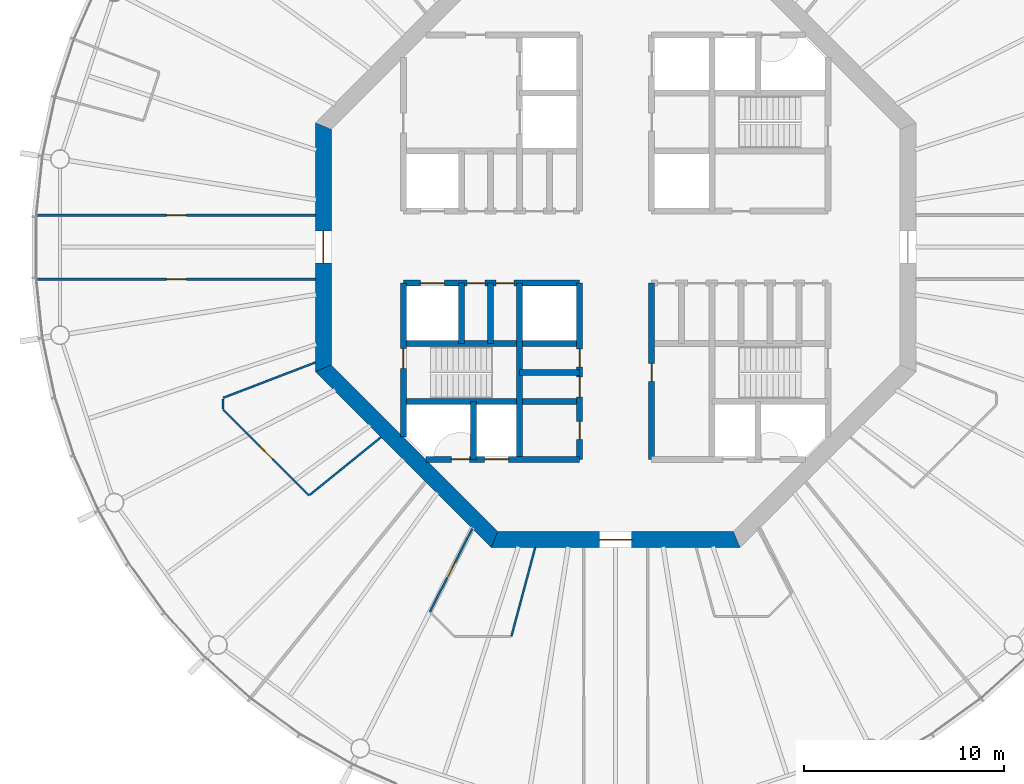
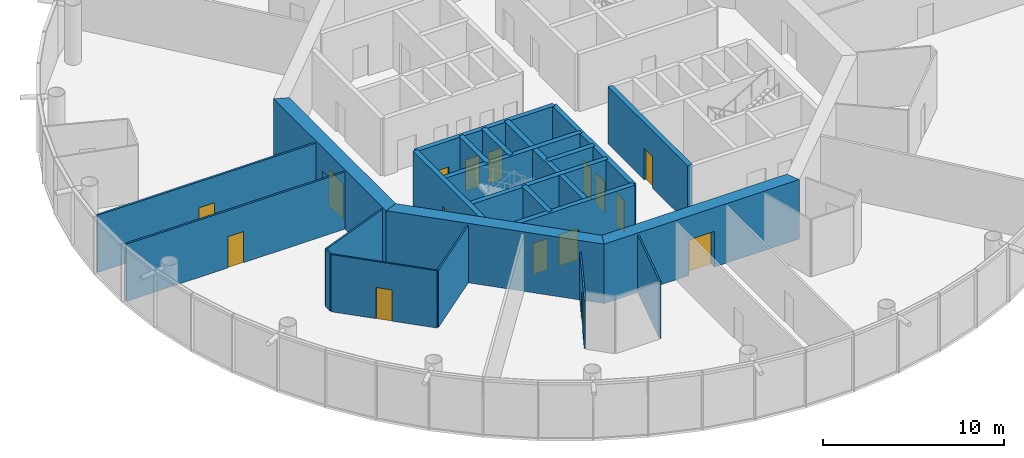
# One storey, part 3 of 13: 23 walls, 16 doors, 16 openings.
"""IFC4 building model written with IfcOpenShell, lengths in metres."""

from ifc_helpers import new_model, si_unit, direction, frame, frame_2d, origin, place, context, subcontext, project, spatial, polyline, rectangle, outline, extrude, material, layer, layer_set, type_object, element, fill, save


model = new_model("IFC4")

# Units and contexts
model_context = context("Model", 3, precision=1e-05, world=origin(), true_north=direction((0.0, 1.0)))
body_context = subcontext(model_context, "Body", "Model", "MODEL_VIEW")
ifc_project = project(units=[si_unit("LENGTHUNIT", "METRE"), si_unit("AREAUNIT", "SQUARE_METRE"), si_unit("VOLUMEUNIT", "CUBIC_METRE"), si_unit("PLANEANGLEUNIT", "RADIAN"), si_unit("MASSUNIT", "GRAM", prefix="KILO")], contexts=[model_context])

# Site, building, storey
site_placement = place(None, origin())
site = spatial("IfcSite", under=ifc_project, at=site_placement, CompositionType="ELEMENT")
building_placement = place(site_placement, origin())
building = spatial("IfcBuilding", under=site, at=building_placement, Name="Entoto Ring Tower", CompositionType="ELEMENT")
storey_placement = place(building_placement, frame((0.0, 0.0, 290.0)))
storey = spatial("IfcBuildingStorey", under=building, at=storey_placement, Name="L66", CompositionType="ELEMENT", Elevation=290.0)

# Wall, opening, door
ifc_material_1 = material(Name="Concrete C40/50", Category="concrete")
ifc_layer_1 = layer(ifc_material_1, 0.300048828125)
ifc_layer_set_1 = layer_set([ifc_layer_1], Name="Concrete C40/50")
wall_type_1 = type_object("IfcWallType", Name="Core enclosure wall 300 mm reinforced concrete", PredefinedType="SOLIDWALL", material=ifc_layer_set_1)
wall_1_placement = place(storey_placement, frame((91.800048828125, 69.39990234375, 0.0), z_axis=(0.0, 0.0, 1.0), x_axis=(0.0, 1.0, 0.0)))
wall_1 = element("IfcWall", 1, at=wall_1_placement, inside=storey, type_object=wall_type_1, Name="wall-L66-011", PredefinedType="SOLIDWALL", context=body_context, shape_type="SweptSolid", body=[
    extrude(rectangle(XDim=8.800048828125, YDim=0.300048828125, at=frame_2d((4.39990234375, 0.0))), origin(), (0.0, 0.0, 1.0), 3.85009765625),
])
opening_1_placement = place(wall_1_placement, frame((3.89990234375, 0.0, 0.0)))
opening_1 = element("IfcOpeningElement", 2, at=opening_1_placement, cuts=wall_1, Name="Opening K-21", PredefinedType="OPENING", context=body_context, shape_type="SweptSolid", body=[
    extrude(rectangle(XDim=0.89990234375, YDim=2.10009765625, at=frame_2d((0.449951171875, 1.050048828125))), frame((0.0, 0.16015625, 0.0), z_axis=(0.0, -1.0, 0.0), x_axis=(1.0, 0.0, 0.0)), (0.0, 0.0, 1.0), 0.320068359375),
])
ifc_material_2 = material(Name="Steel door leaf, fire rated", Category="steel")
ifc_layer_2 = layer(ifc_material_2, 0.050048828125)
ifc_layer_set_2 = layer_set([ifc_layer_2], Name="Steel door leaf, fire rated")
door_type_1 = type_object("IfcDoorType", Name="Core door 900 x 2100 single leaf", OperationType="NOTDEFINED", PredefinedType="DOOR", material=ifc_layer_set_2)
door_1_placement = place(opening_1_placement, frame((0.89990234375, 0.0, 0.0), z_axis=(0.0, 0.0, 1.0), x_axis=(-1.0, 0.0, 0.0)))
door_1 = element("IfcDoor", 3, at=door_1_placement, inside=storey, type_object=door_type_1, Name="Door K-21", OperationType="SINGLE_SWING_LEFT", OverallHeight=2.10009765625, OverallWidth=0.89990234375, PredefinedType="DOOR", context=body_context, shape_type="SweptSolid", body=[
    extrude(rectangle(XDim=0.89990234375, YDim=2.10009765625, at=frame_2d((0.449951171875, 1.050048828125))), frame((0.0, 0.02490234375, 0.0), z_axis=(0.0, -1.0, 0.0), x_axis=(1.0, 0.0, 0.0)), (0.0, 0.0, 1.0), 0.050048828125),
])
fill(opening_1, door_1)

# Wall, openings, doors
wall_2_placement = place(storey_placement, frame((88.199951171875, 69.39990234375, 0.0), z_axis=(0.0, 0.0, 1.0), x_axis=(0.0, 1.0, 0.0)))
wall_2 = element("IfcWall", 4, at=wall_2_placement, inside=storey, type_object=wall_type_1, Name="wall-L66-013", PredefinedType="SOLIDWALL", context=body_context, shape_type="SweptSolid", body=[
    extrude(rectangle(XDim=8.800048828125, YDim=0.300048828125, at=frame_2d((4.39990234375, 0.0))), origin(), (0.0, 0.0, 1.0), 3.85009765625),
])
opening_2_placement = place(wall_2_placement, frame((3.125, 0.0, 0.0)))
opening_2 = element("IfcOpeningElement", 5, at=opening_2_placement, cuts=wall_2, Name="Opening K-70", PredefinedType="OPENING", context=body_context, shape_type="SweptSolid", body=[
    extrude(rectangle(XDim=1.0, YDim=2.10009765625, at=frame_2d((0.5, 1.050048828125))), frame((0.0, 0.16015625, 0.0), z_axis=(0.0, -1.0, 0.0), x_axis=(1.0, 0.0, 0.0)), (0.0, 0.0, 1.0), 0.320068359375),
])
opening_3_placement = place(wall_2_placement, frame((4.625, 0.0, 0.0)))
opening_3 = element("IfcOpeningElement", 6, at=opening_3_placement, cuts=wall_2, Name="Opening K-71", PredefinedType="OPENING", context=body_context, shape_type="SweptSolid", body=[
    extrude(rectangle(XDim=0.89990234375, YDim=2.10009765625, at=frame_2d((0.449951171875, 1.050048828125))), frame((0.0, 0.16015625, 0.0), z_axis=(0.0, -1.0, 0.0), x_axis=(1.0, 0.0, 0.0)), (0.0, 0.0, 1.0), 0.320068359375),
])
opening_4_placement = place(wall_2_placement, frame((1.0, 0.0, 0.0)))
opening_4 = element("IfcOpeningElement", 7, at=opening_4_placement, cuts=wall_2, Name="Opening K-24", PredefinedType="OPENING", context=body_context, shape_type="SweptSolid", body=[
    extrude(rectangle(XDim=0.89990234375, YDim=2.10009765625, at=frame_2d((0.449951171875, 1.050048828125))), frame((0.0, 0.16015625, 0.0), z_axis=(0.0, -1.0, 0.0), x_axis=(1.0, 0.0, 0.0)), (0.0, 0.0, 1.0), 0.320068359375),
])
ifc_material_3 = material(Name="Steel door leaf, fire rated", Category="steel")
ifc_layer_3 = layer(ifc_material_3, 0.050048828125)
ifc_layer_set_3 = layer_set([ifc_layer_3], Name="Steel door leaf, fire rated")
door_type_2 = type_object("IfcDoorType", Name="Accessible door 1000 x 2100 single leaf", OperationType="NOTDEFINED", PredefinedType="DOOR", material=ifc_layer_set_3)
door_2_placement = place(opening_2_placement, origin())
door_2 = element("IfcDoor", 8, at=door_2_placement, inside=storey, type_object=door_type_2, Name="Door K-70", OperationType="SINGLE_SWING_RIGHT", OverallHeight=2.10009765625, OverallWidth=1.0, PredefinedType="DOOR", context=body_context, shape_type="SweptSolid", body=[
    extrude(rectangle(XDim=1.0, YDim=2.10009765625, at=frame_2d((0.5, 1.050048828125))), frame((0.0, 0.02490234375, 0.0), z_axis=(0.0, -1.0, 0.0), x_axis=(1.0, 0.0, 0.0)), (0.0, 0.0, 1.0), 0.050048828125),
])
fill(opening_2, door_2)
door_3_placement = place(opening_3_placement, origin())
door_3 = element("IfcDoor", 9, at=door_3_placement, inside=storey, type_object=door_type_1, Name="Door K-71", OperationType="SINGLE_SWING_RIGHT", OverallHeight=2.10009765625, OverallWidth=0.89990234375, PredefinedType="DOOR", context=body_context, shape_type="SweptSolid", body=[
    extrude(rectangle(XDim=0.89990234375, YDim=2.10009765625, at=frame_2d((0.449951171875, 1.050048828125))), frame((0.0, 0.02490234375, 0.0), z_axis=(0.0, -1.0, 0.0), x_axis=(1.0, 0.0, 0.0)), (0.0, 0.0, 1.0), 0.050048828125),
])
fill(opening_3, door_3)
door_4_placement = place(opening_4_placement, origin())
door_4 = element("IfcDoor", 10, at=door_4_placement, inside=storey, type_object=door_type_1, Name="Door K-24", OperationType="SINGLE_SWING_RIGHT", OverallHeight=2.10009765625, OverallWidth=0.89990234375, PredefinedType="DOOR", context=body_context, shape_type="SweptSolid", body=[
    extrude(rectangle(XDim=0.89990234375, YDim=2.10009765625, at=frame_2d((0.449951171875, 1.050048828125))), frame((0.0, 0.02490234375, 0.0), z_axis=(0.0, -1.0, 0.0), x_axis=(1.0, 0.0, 0.0)), (0.0, 0.0, 1.0), 0.050048828125),
])
fill(opening_4, door_4)

# Walls
wall_3_placement = place(storey_placement, frame((85.199951171875, 69.39990234375, 0.0), z_axis=(0.0, 0.0, 1.0), x_axis=(0.0, 1.0, 0.0)))
element("IfcWall", 11, at=wall_3_placement, inside=storey, type_object=wall_type_1, Name="wall-L66-016", PredefinedType="SOLIDWALL", context=body_context, shape_type="SweptSolid", body=[
    extrude(rectangle(XDim=8.800048828125, YDim=0.300048828125, at=frame_2d((4.39990234375, 0.0))), origin(), (0.0, 0.0, 1.0), 3.85009765625),
])
wall_4_placement = place(storey_placement, frame((83.75, 75.199951171875, 0.0), z_axis=(0.0, 0.0, 1.0), x_axis=(0.0, 1.0, 0.0)))
element("IfcWall", 12, at=wall_4_placement, inside=storey, type_object=wall_type_1, Name="wall-L66-018", PredefinedType="SOLIDWALL", context=body_context, shape_type="SweptSolid", body=[
    extrude(rectangle(XDim=3.0, YDim=0.300048828125, at=frame_2d((1.5, 0.0))), origin(), (0.0, 0.0, 1.0), 3.85009765625),
])
wall_5_placement = place(storey_placement, frame((82.89990234375, 69.39990234375, 0.0), z_axis=(0.0, 0.0, 1.0), x_axis=(0.0, 1.0, 0.0)))
element("IfcWall", 13, at=wall_5_placement, inside=storey, type_object=wall_type_1, Name="wall-L66-020", PredefinedType="SOLIDWALL", context=body_context, shape_type="SweptSolid", body=[
    extrude(rectangle(XDim=2.900146484375, YDim=0.300048828125, at=frame_2d((1.4501953125, 0.0))), origin(), (0.0, 0.0, 1.0), 3.85009765625),
])
wall_6_placement = place(storey_placement, frame((82.300048828125, 75.199951171875, 0.0), z_axis=(0.0, 0.0, 1.0), x_axis=(0.0, 1.0, 0.0)))
element("IfcWall", 14, at=wall_6_placement, inside=storey, type_object=wall_type_1, Name="wall-L66-021", PredefinedType="SOLIDWALL", context=body_context, shape_type="SweptSolid", body=[
    extrude(rectangle(XDim=3.0, YDim=0.300048828125, at=frame_2d((1.5, 0.0))), origin(), (0.0, 0.0, 1.0), 3.85009765625),
])

# Wall, opening, door
wall_7_placement = place(storey_placement, frame((79.39990234375, 70.518310546875, 0.0), z_axis=(0.0, 0.0, 1.0), x_axis=(0.0, 1.0, 0.0)))
wall_7 = element("IfcWall", 15, at=wall_7_placement, inside=storey, type_object=wall_type_1, Name="wall-L66-023", PredefinedType="SOLIDWALL", context=body_context, shape_type="SweptSolid", body=[
    extrude(rectangle(XDim=7.681640625, YDim=0.300048828125, at=frame_2d((3.8408203125, 0.0))), origin(), (0.0, 0.0, 1.0), 3.85009765625),
])
opening_5_placement = place(wall_7_placement, frame((3.431884765625, 0.0, 0.0)))
opening_5 = element("IfcOpeningElement", 16, at=opening_5_placement, cuts=wall_7, Name="Opening K-30", PredefinedType="OPENING", context=body_context, shape_type="SweptSolid", body=[
    extrude(rectangle(XDim=1.0, YDim=2.10009765625, at=frame_2d((0.5, 1.050048828125))), frame((0.0, 0.16015625, 0.0), z_axis=(0.0, -1.0, 0.0), x_axis=(1.0, 0.0, 0.0)), (0.0, 0.0, 1.0), 0.320068359375),
])
ifc_material_4 = material(Name="Steel door leaf, fire rated", Category="steel")
ifc_layer_4 = layer(ifc_material_4, 0.050048828125)
ifc_layer_set_4 = layer_set([ifc_layer_4], Name="Steel door leaf, fire rated")
door_type_3 = type_object("IfcDoorType", Name="Fire door FD60 1000 x 2100 single leaf", OperationType="NOTDEFINED", PredefinedType="DOOR", material=ifc_layer_set_4)
door_5_placement = place(opening_5_placement, frame((1.0, 0.0, 0.0), z_axis=(0.0, 0.0, 1.0), x_axis=(-1.0, 0.0, 0.0)))
door_5 = element("IfcDoor", 17, at=door_5_placement, inside=storey, type_object=door_type_3, Name="Door K-30", OperationType="SINGLE_SWING_LEFT", OverallHeight=2.10009765625, OverallWidth=1.0, PredefinedType="DOOR", context=body_context, shape_type="SweptSolid", body=[
    extrude(rectangle(XDim=1.0, YDim=2.10009765625, at=frame_2d((0.5, 1.050048828125))), frame((0.0, 0.02490234375, 0.0), z_axis=(0.0, -1.0, 0.0), x_axis=(1.0, 0.0, 0.0)), (0.0, 0.0, 1.0), 0.050048828125),
])
fill(opening_5, door_5)

# Wall, openings, doors
wall_8_placement = place(storey_placement, frame((80.518310546875, 69.39990234375, 0.0), z_axis=(0.0, 0.0, 1.0), x_axis=(1.0, 0.0, 0.0)))
wall_8 = element("IfcWall", 18, at=wall_8_placement, inside=storey, type_object=wall_type_1, Name="wall-L66-025", PredefinedType="SOLIDWALL", context=body_context, shape_type="SweptSolid", body=[
    extrude(rectangle(XDim=7.681640625, YDim=0.300048828125, at=frame_2d((3.8408203125, 0.0))), origin(), (0.0, 0.0, 1.0), 3.85009765625),
])
opening_6_placement = place(wall_8_placement, frame((2.931884765625, 0.0, 0.0)))
opening_6 = element("IfcOpeningElement", 19, at=opening_6_placement, cuts=wall_8, Name="Opening LD", PredefinedType="OPENING", context=body_context, shape_type="SweptSolid", body=[
    extrude(rectangle(XDim=1.199951171875, YDim=2.10009765625, at=frame_2d((0.60009765625, 1.050048828125))), frame((0.0, 0.16015625, 0.0), z_axis=(0.0, -1.0, 0.0), x_axis=(1.0, 0.0, 0.0)), (0.0, 0.0, 1.0), 0.320068359375),
])
opening_7_placement = place(wall_8_placement, frame((1.28173828125, 0.0, 0.0)))
opening_7 = element("IfcOpeningElement", 20, at=opening_7_placement, cuts=wall_8, Name="Opening K-33", PredefinedType="OPENING", context=body_context, shape_type="SweptSolid", body=[
    extrude(rectangle(XDim=0.89990234375, YDim=2.10009765625, at=frame_2d((0.449951171875, 1.050048828125))), frame((0.0, 0.16015625, 0.0), z_axis=(0.0, -1.0, 0.0), x_axis=(1.0, 0.0, 0.0)), (0.0, 0.0, 1.0), 0.320068359375),
])
ifc_material_5 = material(Name="Steel and glass door leaf", Category="steel")
ifc_layer_5 = layer(ifc_material_5, 0.050048828125)
ifc_layer_set_5 = layer_set([ifc_layer_5], Name="Steel and glass door leaf")
door_type_4 = type_object("IfcDoorType", Name="Landing door 1200 x 2100 sliding", OperationType="DOUBLE_DOOR_SLIDING", PredefinedType="DOOR", material=ifc_layer_set_5)
door_6_placement = place(opening_6_placement, origin())
door_6 = element("IfcDoor", 21, at=door_6_placement, inside=storey, type_object=door_type_4, Name="Landing door LB3-HR", OperationType="SLIDING_TO_RIGHT", OverallHeight=2.10009765625, OverallWidth=1.199951171875, PredefinedType="DOOR", context=body_context, shape_type="SweptSolid", body=[
    extrude(rectangle(XDim=1.199951171875, YDim=2.10009765625, at=frame_2d((0.60009765625, 1.050048828125))), frame((0.0, 0.02490234375, 0.0), z_axis=(0.0, -1.0, 0.0), x_axis=(1.0, 0.0, 0.0)), (0.0, 0.0, 1.0), 0.050048828125),
])
fill(opening_6, door_6)
ifc_material_6 = material(Name="Steel door leaf, fire rated", Category="steel")
ifc_layer_6 = layer(ifc_material_6, 0.050048828125)
ifc_layer_set_6 = layer_set([ifc_layer_6], Name="Steel door leaf, fire rated")
door_type_5 = type_object("IfcDoorType", Name="Riser door FD60 900 x 2100 single leaf", OperationType="NOTDEFINED", PredefinedType="DOOR", material=ifc_layer_set_6)
door_7_placement = place(opening_7_placement, origin())
door_7 = element("IfcDoor", 22, at=door_7_placement, inside=storey, type_object=door_type_5, Name="Door K-33", OperationType="SINGLE_SWING_RIGHT", OverallHeight=2.10009765625, OverallWidth=0.89990234375, PredefinedType="DOOR", context=body_context, shape_type="SweptSolid", body=[
    extrude(rectangle(XDim=0.89990234375, YDim=2.10009765625, at=frame_2d((0.449951171875, 1.050048828125))), frame((0.0, 0.02490234375, 0.0), z_axis=(0.0, -1.0, 0.0), x_axis=(1.0, 0.0, 0.0)), (0.0, 0.0, 1.0), 0.050048828125),
])
fill(opening_7, door_7)

# Walls
wall_9_placement = place(storey_placement, frame((79.39990234375, 72.300048828125, 0.0), z_axis=(0.0, 0.0, 1.0), x_axis=(1.0, 0.0, 0.0)))
element("IfcWall", 23, at=wall_9_placement, inside=storey, type_object=wall_type_1, Name="wall-L66-027", PredefinedType="SOLIDWALL", context=body_context, shape_type="SweptSolid", body=[
    extrude(rectangle(XDim=8.800048828125, YDim=0.300048828125, at=frame_2d((4.39990234375, 0.0))), origin(), (0.0, 0.0, 1.0), 3.85009765625),
])
wall_10_placement = place(storey_placement, frame((85.199951171875, 73.75, 0.0), z_axis=(0.0, 0.0, 1.0), x_axis=(1.0, 0.0, 0.0)))
element("IfcWall", 24, at=wall_10_placement, inside=storey, type_object=wall_type_1, Name="wall-L66-029", PredefinedType="SOLIDWALL", context=body_context, shape_type="SweptSolid", body=[
    extrude(rectangle(XDim=3.0, YDim=0.300048828125, at=frame_2d((1.5, 0.0))), origin(), (0.0, 0.0, 1.0), 3.85009765625),
])
wall_11_placement = place(storey_placement, frame((79.39990234375, 75.199951171875, 0.0), z_axis=(0.0, 0.0, 1.0), x_axis=(1.0, 0.0, 0.0)))
element("IfcWall", 25, at=wall_11_placement, inside=storey, type_object=wall_type_1, Name="wall-L66-030", PredefinedType="SOLIDWALL", context=body_context, shape_type="SweptSolid", body=[
    extrude(rectangle(XDim=8.800048828125, YDim=0.300048828125, at=frame_2d((4.39990234375, 0.0))), origin(), (0.0, 0.0, 1.0), 3.85009765625),
])

# Wall, openings, doors
wall_12_placement = place(storey_placement, frame((79.39990234375, 78.199951171875, 0.0), z_axis=(0.0, 0.0, 1.0), x_axis=(1.0, 0.0, 0.0)))
wall_12 = element("IfcWall", 26, at=wall_12_placement, inside=storey, type_object=wall_type_1, Name="wall-L66-032", PredefinedType="SOLIDWALL", context=body_context, shape_type="SweptSolid", body=[
    extrude(rectangle(XDim=8.800048828125, YDim=0.300048828125, at=frame_2d((4.39990234375, 0.0))), origin(), (0.0, 0.0, 1.0), 3.85009765625),
])
opening_8_placement = place(wall_12_placement, frame((0.85009765625, 0.0, 0.0)))
opening_8 = element("IfcOpeningElement", 27, at=opening_8_placement, cuts=wall_12, Name="Opening LD", PredefinedType="OPENING", context=body_context, shape_type="SweptSolid", body=[
    extrude(rectangle(XDim=1.199951171875, YDim=2.10009765625, at=frame_2d((0.60009765625, 1.050048828125))), frame((0.0, 0.16015625, 0.0), z_axis=(0.0, -1.0, 0.0), x_axis=(1.0, 0.0, 0.0)), (0.0, 0.0, 1.0), 0.320068359375),
])
opening_9_placement = place(wall_12_placement, frame((3.175048828125, 0.0, 0.0)))
opening_9 = element("IfcOpeningElement", 28, at=opening_9_placement, cuts=wall_12, Name="Opening K-18", PredefinedType="OPENING", context=body_context, shape_type="SweptSolid", body=[
    extrude(rectangle(XDim=0.89990234375, YDim=2.10009765625, at=frame_2d((0.449951171875, 1.050048828125))), frame((0.0, 0.16015625, 0.0), z_axis=(0.0, -1.0, 0.0), x_axis=(1.0, 0.0, 0.0)), (0.0, 0.0, 1.0), 0.320068359375),
])
opening_10_placement = place(wall_12_placement, frame((4.625, 0.0, 0.0)))
opening_10 = element("IfcOpeningElement", 29, at=opening_10_placement, cuts=wall_12, Name="Opening K-19", PredefinedType="OPENING", context=body_context, shape_type="SweptSolid", body=[
    extrude(rectangle(XDim=0.89990234375, YDim=2.10009765625, at=frame_2d((0.449951171875, 1.050048828125))), frame((0.0, 0.16015625, 0.0), z_axis=(0.0, -1.0, 0.0), x_axis=(1.0, 0.0, 0.0)), (0.0, 0.0, 1.0), 0.320068359375),
])
door_8_placement = place(opening_9_placement, frame((0.89990234375, 0.0, 0.0), z_axis=(0.0, 0.0, 1.0), x_axis=(-1.0, 0.0, 0.0)))
door_8 = element("IfcDoor", 30, at=door_8_placement, inside=storey, type_object=door_type_1, Name="Door K-18", OperationType="SINGLE_SWING_LEFT", OverallHeight=2.10009765625, OverallWidth=0.89990234375, PredefinedType="DOOR", context=body_context, shape_type="SweptSolid", body=[
    extrude(rectangle(XDim=0.89990234375, YDim=2.10009765625, at=frame_2d((0.449951171875, 1.050048828125))), frame((0.0, 0.02490234375, 0.0), z_axis=(0.0, -1.0, 0.0), x_axis=(1.0, 0.0, 0.0)), (0.0, 0.0, 1.0), 0.050048828125),
])
fill(opening_9, door_8)
door_9_placement = place(opening_10_placement, frame((0.89990234375, 0.0, 0.0), z_axis=(0.0, 0.0, 1.0), x_axis=(-1.0, 0.0, 0.0)))
door_9 = element("IfcDoor", 31, at=door_9_placement, inside=storey, type_object=door_type_1, Name="Door K-19", OperationType="SINGLE_SWING_LEFT", OverallHeight=2.10009765625, OverallWidth=0.89990234375, PredefinedType="DOOR", context=body_context, shape_type="SweptSolid", body=[
    extrude(rectangle(XDim=0.89990234375, YDim=2.10009765625, at=frame_2d((0.449951171875, 1.050048828125))), frame((0.0, 0.02490234375, 0.0), z_axis=(0.0, -1.0, 0.0), x_axis=(1.0, 0.0, 0.0)), (0.0, 0.0, 1.0), 0.050048828125),
])
fill(opening_10, door_9)
door_10_placement = place(opening_8_placement, origin())
door_10 = element("IfcDoor", 32, at=door_10_placement, inside=storey, type_object=door_type_4, Name="Landing door SH2", OperationType="SLIDING_TO_RIGHT", OverallHeight=2.10009765625, OverallWidth=1.199951171875, PredefinedType="DOOR", context=body_context, shape_type="SweptSolid", body=[
    extrude(rectangle(XDim=1.199951171875, YDim=2.10009765625, at=frame_2d((0.60009765625, 1.050048828125))), frame((0.0, 0.02490234375, 0.0), z_axis=(0.0, -1.0, 0.0), x_axis=(1.0, 0.0, 0.0)), (0.0, 0.0, 1.0), 0.050048828125),
])
fill(opening_8, door_10)

# Wall, opening, door
ifc_material_7 = material(Name="Concrete C40/50", Category="concrete")
ifc_layer_7 = layer(ifc_material_7, 0.800048828125)
ifc_layer_set_7 = layer_set([ifc_layer_7], Name="Concrete C40/50")
wall_type_2 = type_object("IfcWallType", Name="Core shear wall 800 mm reinforced concrete C40/50", PredefinedType="SHEAR", material=ifc_layer_set_7)
wall_13_placement = place(storey_placement, frame((75.39990234375, 86.047607421875, 0.0), z_axis=(0.0, 0.0, 1.0), x_axis=(0.0, -1.0, 0.0)))
wall_13 = element("IfcWall", 33, at=wall_13_placement, inside=storey, type_object=wall_type_2, Name="wall-L66-core-4", PredefinedType="SHEAR", context=body_context, shape_type="SweptSolid", body=[
    extrude(outline(polyline([(-0.165771484375, -0.39990234375), (12.260986328125, -0.39990234375), (11.929443359375, 0.39990234375), (0.165771484375, 0.39990234375), (-0.165771484375, -0.39990234375)])), origin(), (0.0, 0.0, 1.0), 4.0),
])
opening_11_placement = place(wall_13_placement, frame((5.24755859375, 0.0, 0.0)))
opening_11 = element("IfcOpeningElement", 34, at=opening_11_placement, cuts=wall_13, Name="Opening K-03", PredefinedType="OPENING", context=body_context, shape_type="SweptSolid", body=[
    extrude(rectangle(XDim=1.60009765625, YDim=2.39990234375, at=frame_2d((0.800048828125, 1.199951171875))), frame((0.0, 0.41015625, 0.0), z_axis=(0.0, -1.0, 0.0), x_axis=(1.0, 0.0, 0.0)), (0.0, 0.0, 1.0), 0.820068359375),
])
ifc_material_8 = material(Name="Steel door leaf, fire rated", Category="steel")
ifc_layer_8 = layer(ifc_material_8, 0.050048828125)
ifc_layer_set_8 = layer_set([ifc_layer_8], Name="Steel door leaf, fire rated")
door_type_6 = type_object("IfcDoorType", Name="Entrance door FD60 1600 x 2400 double leaf", OperationType="DOUBLE_DOOR_SINGLE_SWING", PredefinedType="DOOR", material=ifc_layer_set_8)
door_11_placement = place(opening_11_placement, origin())
door_11 = element("IfcDoor", 35, at=door_11_placement, inside=storey, type_object=door_type_6, Name="Entrance door K-03", OperationType="DOUBLE_DOOR_SINGLE_SWING", OverallHeight=2.39990234375, OverallWidth=1.60009765625, PredefinedType="DOOR", context=body_context, shape_type="SweptSolid", body=[
    extrude(rectangle(XDim=1.60009765625, YDim=2.39990234375, at=frame_2d((0.800048828125, 1.199951171875))), frame((0.0, 0.02490234375, 0.0), z_axis=(0.0, -1.0, 0.0), x_axis=(1.0, 0.0, 0.0)), (0.0, 0.0, 1.0), 0.050048828125),
])
fill(opening_11, door_11)

# Wall
wall_14_placement = place(storey_placement, frame((75.39990234375, 73.952392578125, 0.0), z_axis=(0.0, 0.0, 1.0), x_axis=(0.707106781187, -0.707106781187, 0.0)))
element("IfcWall", 36, at=wall_14_placement, inside=storey, type_object=wall_type_2, Name="wall-L66-core-5", PredefinedType="SHEAR", context=body_context, shape_type="SweptSolid", body=[
    extrude(outline(polyline([(-0.165771484375, -0.39990234375), (12.2607421875, -0.39990234375), (11.92919921875, 0.39990234375), (0.165771484375, 0.39990234375), (-0.165771484375, -0.39990234375)])), origin(), (0.0, 0.0, 1.0), 4.0),
])

# Wall, opening, door
wall_15_placement = place(storey_placement, frame((83.952392578125, 65.39990234375, 0.0), z_axis=(0.0, 0.0, 1.0), x_axis=(1.0, 0.0, 0.0)))
wall_15 = element("IfcWall", 37, at=wall_15_placement, inside=storey, type_object=wall_type_2, Name="wall-L66-core-6", PredefinedType="SHEAR", context=body_context, shape_type="SweptSolid", body=[
    extrude(outline(polyline([(-0.165771484375, -0.39990234375), (12.260986328125, -0.39990234375), (11.929443359375, 0.39990234375), (0.165771484375, 0.39990234375), (-0.165771484375, -0.39990234375)])), origin(), (0.0, 0.0, 1.0), 4.0),
])
opening_12_placement = place(wall_15_placement, frame((5.24755859375, 0.0, 0.0)))
opening_12 = element("IfcOpeningElement", 38, at=opening_12_placement, cuts=wall_15, Name="Opening K-04", PredefinedType="OPENING", context=body_context, shape_type="SweptSolid", body=[
    extrude(rectangle(XDim=1.60009765625, YDim=2.39990234375, at=frame_2d((0.800048828125, 1.199951171875))), frame((0.0, 0.41015625, 0.0), z_axis=(0.0, -1.0, 0.0), x_axis=(1.0, 0.0, 0.0)), (0.0, 0.0, 1.0), 0.820068359375),
])
door_12_placement = place(opening_12_placement, origin())
door_12 = element("IfcDoor", 39, at=door_12_placement, inside=storey, type_object=door_type_6, Name="Entrance door K-04", OperationType="DOUBLE_DOOR_SINGLE_SWING", OverallHeight=2.39990234375, OverallWidth=1.60009765625, PredefinedType="DOOR", context=body_context, shape_type="SweptSolid", body=[
    extrude(rectangle(XDim=1.60009765625, YDim=2.39990234375, at=frame_2d((0.800048828125, 1.199951171875))), frame((0.0, 0.02490234375, 0.0), z_axis=(0.0, -1.0, 0.0), x_axis=(1.0, 0.0, 0.0)), (0.0, 0.0, 1.0), 0.050048828125),
])
fill(opening_12, door_12)

ifc_material_9 = material(Name="Fire-resisting plasterboard on steel studs", Category="steel")
ifc_layer_9 = layer(ifc_material_9, 0.125)
ifc_layer_set_9 = layer_set([ifc_layer_9], Name="Fire-resisting plasterboard on steel studs")
wall_type_3 = type_object("IfcWallType", Name="Corridor wall 125 mm one-hour plasterboard on steel studs", PredefinedType="PARTITIONING", material=ifc_layer_set_9)
wall_16_placement = place(storey_placement, frame((61.108642578125, 78.39990234375, 0.0), z_axis=(0.0, 0.0, 1.0), x_axis=(1.0, 0.0, 0.0)))
wall_16 = element("IfcWall", 40, at=wall_16_placement, inside=storey, type_object=wall_type_3, Name="partition-L66-001", PredefinedType="PARTITIONING", context=body_context, shape_type="SweptSolid", body=[
    extrude(rectangle(XDim=13.891357421875, YDim=0.125, at=frame_2d((6.94580078125, 0.0))), origin(), (0.0, 0.0, 1.0), 3.85009765625),
])
opening_13_placement = place(wall_16_placement, frame((6.44580078125, 0.0, 0.0)))
opening_13 = element("IfcOpeningElement", 41, at=opening_13_placement, cuts=wall_16, Name="Opening A29-D09", PredefinedType="OPENING", context=body_context, shape_type="SweptSolid", body=[
    extrude(rectangle(XDim=1.0, YDim=2.10009765625, at=frame_2d((0.5, 1.050048828125))), frame((0.0, 0.072509765625, 0.0), z_axis=(0.0, -1.0, 0.0), x_axis=(1.0, 0.0, 0.0)), (0.0, 0.0, 1.0), 0.14501953125),
])
ifc_material_10 = material(Name="Fire-resisting timber door set", Category="wood")
door_type_7 = type_object("IfcDoorType", Name="Door 1000 x 2100 single leaf FD30S fire door", OperationType="NOTDEFINED", PredefinedType="DOOR", material=ifc_material_10)
door_13_placement = place(opening_13_placement, frame((1.0, 0.0, 0.0), z_axis=(0.0, 0.0, 1.0), x_axis=(-1.0, 0.0, 0.0)))
door_13 = element("IfcDoor", 42, at=door_13_placement, inside=storey, type_object=door_type_7, Name="Door A29-D09", OperationType="SINGLE_SWING_RIGHT", OverallHeight=2.10009765625, OverallWidth=1.0, PredefinedType="DOOR", context=body_context, shape_type="SweptSolid", body=[
    extrude(rectangle(XDim=1.0, YDim=2.10009765625, at=frame_2d((0.5, 1.050048828125))), frame((0.0, 0.02490234375, 0.0), z_axis=(0.0, -1.0, 0.0), x_axis=(1.0, 0.0, 0.0)), (0.0, 0.0, 1.0), 0.050048828125),
])
fill(opening_13, door_13)

wall_17_placement = place(storey_placement, frame((61.108642578125, 81.60009765625, 0.0), z_axis=(0.0, 0.0, 1.0), x_axis=(1.0, 0.0, 0.0)))
wall_17 = element("IfcWall", 43, at=wall_17_placement, inside=storey, type_object=wall_type_3, Name="partition-L66-002", PredefinedType="PARTITIONING", context=body_context, shape_type="SweptSolid", body=[
    extrude(rectangle(XDim=13.891357421875, YDim=0.125, at=frame_2d((6.94580078125, 0.0))), origin(), (0.0, 0.0, 1.0), 3.85009765625),
])
opening_14_placement = place(wall_17_placement, frame((6.44580078125, 0.0, 0.0)))
opening_14 = element("IfcOpeningElement", 44, at=opening_14_placement, cuts=wall_17, Name="Opening A29-D07", PredefinedType="OPENING", context=body_context, shape_type="SweptSolid", body=[
    extrude(rectangle(XDim=1.0, YDim=2.10009765625, at=frame_2d((0.5, 1.050048828125))), frame((0.0, 0.072509765625, 0.0), z_axis=(0.0, -1.0, 0.0), x_axis=(1.0, 0.0, 0.0)), (0.0, 0.0, 1.0), 0.14501953125),
])
door_14_placement = place(opening_14_placement, origin())
door_14 = element("IfcDoor", 45, at=door_14_placement, inside=storey, type_object=door_type_7, Name="Door A29-D07", OperationType="SINGLE_SWING_LEFT", OverallHeight=2.10009765625, OverallWidth=1.0, PredefinedType="DOOR", context=body_context, shape_type="SweptSolid", body=[
    extrude(rectangle(XDim=1.0, YDim=2.10009765625, at=frame_2d((0.5, 1.050048828125))), frame((0.0, 0.02490234375, 0.0), z_axis=(0.0, -1.0, 0.0), x_axis=(1.0, 0.0, 0.0)), (0.0, 0.0, 1.0), 0.050048828125),
])
fill(opening_14, door_14)

ifc_material_11 = material(Name="Plasterboard on steel studs", Category="steel")
ifc_layer_10 = layer(ifc_material_11, 0.10009765625)
ifc_layer_set_10 = layer_set([ifc_layer_10], Name="Plasterboard on steel studs")
wall_type_4 = type_object("IfcWallType", Name="Partition 100 mm plasterboard on steel studs", PredefinedType="PARTITIONING", material=ifc_layer_set_10)
wall_18_placement = place(storey_placement, frame((74.68408203125, 67.597412109375, 0.0), z_axis=(0.0, 0.0, 1.0), x_axis=(-0.707126929262, 0.707086632537, 0.0)))
wall_18 = element("IfcWall", 46, at=wall_18_placement, inside=storey, type_object=wall_type_4, Name="partition-L66-013", PredefinedType="PARTITIONING", context=body_context, shape_type="SweptSolid", body=[
    extrude(rectangle(XDim=6.05859375, YDim=0.10009765625, at=frame_2d((3.029296875, 0.0))), origin(), (0.0, 0.0, 1.0), 3.85009765625),
])
opening_15_placement = place(wall_18_placement, frame((2.579345703125, 0.0, 0.0)))
opening_15 = element("IfcOpeningElement", 47, at=opening_15_placement, cuts=wall_18, Name="Opening A29-D10", PredefinedType="OPENING", context=body_context, shape_type="SweptSolid", body=[
    extrude(rectangle(XDim=0.89990234375, YDim=2.10009765625, at=frame_2d((0.449951171875, 1.050048828125))), frame((0.0, 0.06005859375, 0.0), z_axis=(0.0, -1.0, 0.0), x_axis=(1.0, 0.0, 0.0)), (0.0, 0.0, 1.0), 0.1201171875),
])
ifc_material_12 = material(Name="Veneered timber door leaf in timber frame", Category="wood")
door_type_8 = type_object("IfcDoorType", Name="Door 900 x 2100 single leaf timber veneer", OperationType="NOTDEFINED", PredefinedType="DOOR", material=ifc_material_12)
door_15_placement = place(opening_15_placement, frame((0.89990234375, 0.0, 0.0), z_axis=(0.0, 0.0, 1.0), x_axis=(-1.0, 0.0, 0.0)))
door_15 = element("IfcDoor", 48, at=door_15_placement, inside=storey, type_object=door_type_8, Name="Door A29-D10", OperationType="SINGLE_SWING_RIGHT", OverallHeight=2.10009765625, OverallWidth=0.89990234375, PredefinedType="DOOR", context=body_context, shape_type="SweptSolid", body=[
    extrude(rectangle(XDim=0.89990234375, YDim=2.10009765625, at=frame_2d((0.449951171875, 1.050048828125))), frame((0.0, 0.02490234375, 0.0), z_axis=(0.0, -1.0, 0.0), x_axis=(1.0, 0.0, 0.0)), (0.0, 0.0, 1.0), 0.050048828125),
])
fill(opening_15, door_15)

# Walls
wall_19_placement = place(storey_placement, frame((70.39990234375, 72.476318359375, 0.0), z_axis=(0.0, 0.0, 1.0), x_axis=(0.933593126513, 0.358334863122, 0.0)))
element("IfcWall", 49, at=wall_19_placement, inside=storey, type_object=wall_type_4, Name="partition-L66-017", PredefinedType="PARTITIONING", context=body_context, shape_type="SweptSolid", body=[
    extrude(rectangle(XDim=4.92724609375, YDim=0.10009765625, at=frame_2d((2.463623046875, 0.0))), origin(), (0.0, 0.0, 1.0), 3.85009765625),
])
wall_20_placement = place(storey_placement, frame((74.72265625, 67.628662109375, 0.0), z_axis=(0.0, 0.0, 1.0), x_axis=(0.777133029687, 0.629336360121, 0.0)))
element("IfcWall", 50, at=wall_20_placement, inside=storey, type_object=wall_type_4, Name="partition-L66-021", PredefinedType="PARTITIONING", context=body_context, shape_type="SweptSolid", body=[
    extrude(rectangle(XDim=4.57568359375, YDim=0.10009765625, at=frame_2d((2.287841796875, 0.0))), origin(), (0.0, 0.0, 1.0), 3.85009765625),
])
wall_21_placement = place(storey_placement, frame((84.791015625, 60.56005859375, 0.0), z_axis=(0.0, 0.0, 1.0), x_axis=(0.258822810663, 0.965924817302, 0.0)))
element("IfcWall", 51, at=wall_21_placement, inside=storey, type_object=wall_type_4, Name="partition-L66-022", PredefinedType="PARTITIONING", context=body_context, shape_type="SweptSolid", body=[
    extrude(rectangle(XDim=4.5966796875, YDim=0.10009765625, at=frame_2d((2.29833984375, 0.0))), origin(), (0.0, 0.0, 1.0), 3.85009765625),
])
wall_22_placement = place(storey_placement, frame((70.39990234375, 71.91650390625, 0.0), z_axis=(0.0, 0.0, 1.0), x_axis=(0.0, 1.0, 0.0)))
element("IfcWall", 52, at=wall_22_placement, inside=storey, type_object=wall_type_4, Name="partition-L66-041", PredefinedType="PARTITIONING", context=body_context, shape_type="SweptSolid", body=[
    extrude(rectangle(XDim=0.51318359375, YDim=0.10009765625, at=frame_2d((0.256591796875, 0.0))), origin(), (0.0, 0.0, 1.0), 3.85009765625),
])

# Wall, opening, door
ifc_material_13 = material(Name="Plasterboard on steel studs", Category="steel")
ifc_layer_11 = layer(ifc_material_13, 0.10009765625)
ifc_layer_set_11 = layer_set([ifc_layer_11], Name="Plasterboard on steel studs")
wall_type_5 = type_object("IfcWallType", Name="Partition 100 mm plasterboard on steel studs, 3250 mm high", PredefinedType="PARTITIONING", material=ifc_layer_set_11)
wall_23_placement = place(storey_placement, frame((80.72021484375, 61.787353515625, 0.0), z_axis=(0.0, 0.0, 1.0), x_axis=(0.453978268405, 0.891012756259, 0.0)))
wall_23 = element("IfcWall", 53, at=wall_23_placement, inside=storey, type_object=wall_type_5, Name="partition-L66-020", PredefinedType="PARTITIONING", context=body_context, shape_type="SweptSolid", body=[
    extrude(rectangle(XDim=4.66845703125, YDim=0.10009765625, at=frame_2d((2.334228515625, 0.0))), origin(), (0.0, 0.0, 1.0), 3.25),
])
opening_16_placement = place(wall_23_placement, frame((1.88427734375, 0.0, 0.0)))
opening_16 = element("IfcOpeningElement", 54, at=opening_16_placement, cuts=wall_23, Name="Opening A29-D12", PredefinedType="OPENING", context=body_context, shape_type="SweptSolid", body=[
    extrude(rectangle(XDim=0.89990234375, YDim=2.10009765625, at=frame_2d((0.449951171875, 1.050048828125))), frame((0.0, 0.06005859375, 0.0), z_axis=(0.0, -1.0, 0.0), x_axis=(1.0, 0.0, 0.0)), (0.0, 0.0, 1.0), 0.1201171875),
])
door_16_placement = place(opening_16_placement, frame((0.89990234375, 0.0, 0.0), z_axis=(0.0, 0.0, 1.0), x_axis=(-1.0, 0.0, 0.0)))
door_16 = element("IfcDoor", 55, at=door_16_placement, inside=storey, type_object=door_type_8, Name="Door A29-D12", OperationType="SINGLE_SWING_LEFT", OverallHeight=2.10009765625, OverallWidth=0.89990234375, PredefinedType="DOOR", context=body_context, shape_type="SweptSolid", body=[
    extrude(rectangle(XDim=0.89990234375, YDim=2.10009765625, at=frame_2d((0.449951171875, 1.050048828125))), frame((0.0, 0.02490234375, 0.0), z_axis=(0.0, -1.0, 0.0), x_axis=(1.0, 0.0, 0.0)), (0.0, 0.0, 1.0), 0.050048828125),
])
fill(opening_16, door_16)

save(model, "model.ifc")
